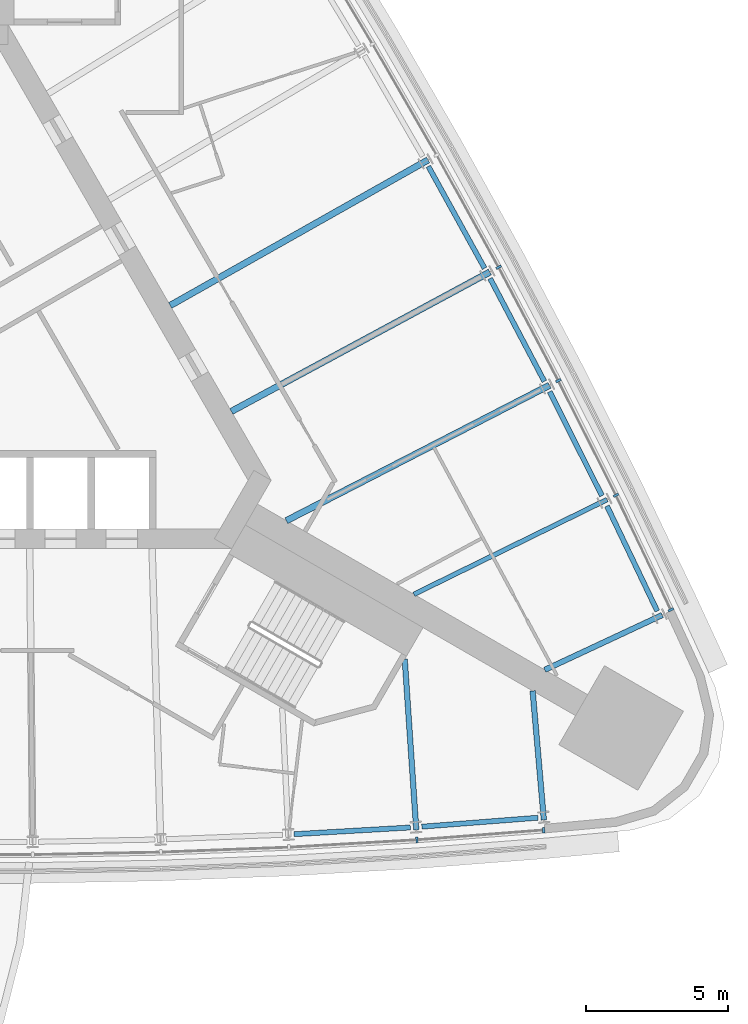
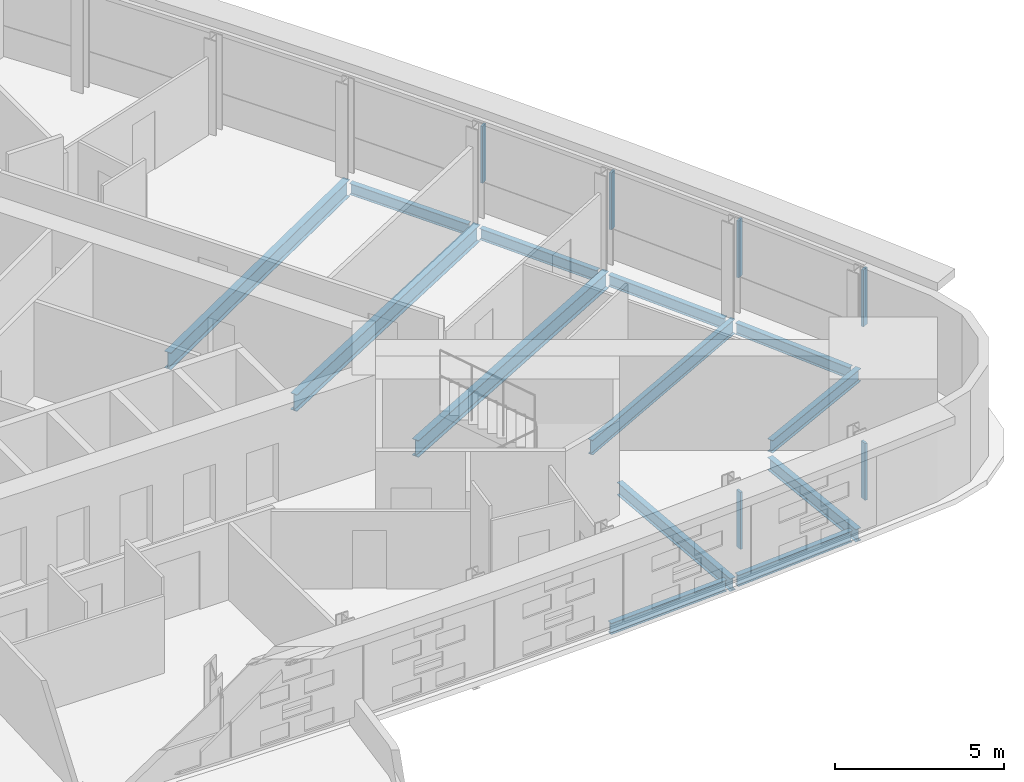
# One storey, part 5 of 15: 13 beams, 6 members, 2 elements without a shape of their own.
"""IFC4 building model written with IfcOpenShell, lengths in metres."""

from ifc_helpers import new_model, si_unit, direction, frame, origin, origin_2d, place, context, subcontext, project, spatial, rectangle, i_section, extrude, material, material_profile, profile_set, type_object, element, aggregate, save


model = new_model("IFC4")

# Units and contexts
model_context = context("Model", 3, precision=1e-05, world=origin(), true_north=direction((0.0, 1.0)))
body_context = subcontext(model_context, "Body", "Model", "MODEL_VIEW")
ifc_project = project(units=[si_unit("LENGTHUNIT", "METRE"), si_unit("AREAUNIT", "SQUARE_METRE"), si_unit("VOLUMEUNIT", "CUBIC_METRE"), si_unit("PLANEANGLEUNIT", "RADIAN"), si_unit("MASSUNIT", "GRAM", prefix="KILO")], contexts=[model_context])

# Site, building, storey
site_placement = place(None, origin())
site = spatial("IfcSite", under=ifc_project, at=site_placement, CompositionType="ELEMENT")
building_placement = place(site_placement, origin())
building = spatial("IfcBuilding", under=site, at=building_placement, Name="Noor Cloister Tower", CompositionType="ELEMENT")
storey_placement = place(building_placement, frame((0.0, 0.0, 69.0)))
storey = spatial("IfcBuildingStorey", under=building, at=storey_placement, Name="L17", CompositionType="ELEMENT", Elevation=69.0)

# Curtain wall, members
ifc_material_1 = material(Name="Aluminium 6063-T6 anodised", Category="aluminium")
curtain_wall_type = type_object("IfcCurtainWallType", Name="Ribbon curtain wall, lower tower CW1", PredefinedType="NOTDEFINED", material=ifc_material_1)
curtain_wall_1_placement = place(storey_placement, origin())
curtain_wall_1 = element("IfcCurtainWall", 1, at=curtain_wall_1_placement, inside=storey, type_object=curtain_wall_type, Name="CW1 L17 S run 2", PredefinedType="NOTDEFINED")
ifc_material_2 = material(Name="Aluminium 6063-T6 anodised", Category="aluminium")
ifc_material_profile_1 = material_profile(ifc_material_2, rectangle(XDim=0.199951171875, YDim=0.080078125, at=origin_2d()), Name="200 x 80 mullion")
ifc_profile_set_1 = profile_set([ifc_material_profile_1], Name="Aluminium 6063-T6 anodised")
member_type = type_object("IfcMemberType", Name="Mullion CW1 80 x 200", PredefinedType="MULLION", material=ifc_profile_set_1)
member_1_placement = place(storey_placement, frame((15.731201171875, -17.14794921875, 1.10009765625), z_axis=(0.0, 0.0, 1.0), x_axis=(-0.067471755101, 0.997721184632, 0.0)))
member_1 = element("IfcMember", 2, at=member_1_placement, type_object=member_type, Name="CW1 mullion 9", PredefinedType="MULLION", context=body_context, shape_type="SweptSolid", body=[
    extrude(rectangle(XDim=0.199951171875, YDim=0.080078125, at=origin_2d()), origin(), (0.0, 0.0, 1.0), 2.0498046875),
])
member_2_placement = place(storey_placement, frame((20.177001953125, -16.80419921875, 1.10009765625), z_axis=(0.0, 0.0, 1.0), x_axis=(-0.077092640523, 0.997023933904, 0.0)))
member_2 = element("IfcMember", 3, at=member_2_placement, type_object=member_type, Name="CW1 mullion 10", PredefinedType="MULLION", context=body_context, shape_type="SweptSolid", body=[
    extrude(rectangle(XDim=0.199951171875, YDim=0.080078125, at=origin_2d()), origin(), (0.0, 0.0, 1.0), 2.0498046875),
])
aggregate(curtain_wall_1, [member_1, member_2])

curtain_wall_2_placement = place(storey_placement, origin())
curtain_wall_2 = element("IfcCurtainWall", 4, at=curtain_wall_2_placement, inside=storey, type_object=curtain_wall_type, Name="CW1 L17 NE run 3", PredefinedType="NOTDEFINED")
member_3_placement = place(storey_placement, frame((24.641357421875, -9.07177734375, 1.10009765625), z_axis=(0.0, 0.0, 1.0), x_axis=(-0.901994375203, -0.431747781814, 0.0)))
member_3 = element("IfcMember", 5, at=member_3_placement, type_object=member_type, Name="CW1 mullion 1", PredefinedType="MULLION", context=body_context, shape_type="SweptSolid", body=[
    extrude(rectangle(XDim=0.199951171875, YDim=0.080078125, at=origin_2d()), origin(), (0.0, 0.0, 1.0), 2.0498046875),
])
member_4_placement = place(storey_placement, frame((22.716064453125, -5.0498046875, 1.10009765625), z_axis=(0.0, 0.0, 1.0), x_axis=(-0.897787769336, -0.440428338361, 0.0)))
member_4 = element("IfcMember", 6, at=member_4_placement, type_object=member_type, Name="CW1 mullion 2", PredefinedType="MULLION", context=body_context, shape_type="SweptSolid", body=[
    extrude(rectangle(XDim=0.199951171875, YDim=0.080078125, at=origin_2d()), origin(), (0.0, 0.0, 1.0), 2.0498046875),
])
member_5_placement = place(storey_placement, frame((20.6962890625, -1.03076171875, 1.10009765625), z_axis=(0.0, 0.0, 1.0), x_axis=(-0.889124353798, -0.45766568965, 0.0)))
member_5 = element("IfcMember", 7, at=member_5_placement, type_object=member_type, Name="CW1 mullion 3", PredefinedType="MULLION", context=body_context, shape_type="SweptSolid", body=[
    extrude(rectangle(XDim=0.199951171875, YDim=0.080078125, at=origin_2d()), origin(), (0.0, 0.0, 1.0), 2.0498046875),
])
member_6_placement = place(storey_placement, frame((18.59912109375, 2.948486328125, 1.10009765625), z_axis=(0.0, 0.0, 1.0), x_axis=(-0.880130014741, -0.474732721805, 0.0)))
member_6 = element("IfcMember", 8, at=member_6_placement, type_object=member_type, Name="CW1 mullion 4", PredefinedType="MULLION", context=body_context, shape_type="SweptSolid", body=[
    extrude(rectangle(XDim=0.199951171875, YDim=0.080078125, at=origin_2d()), origin(), (0.0, 0.0, 1.0), 2.0498046875),
])
aggregate(curtain_wall_2, [member_3, member_4, member_5, member_6])

# Beams
ifc_material_3 = material(Name="Steel ASTM A992 Gr 50", Category="steel")
ifc_material_profile_2 = material_profile(ifc_material_3, i_section(OverallWidth=0.19091796875, OverallDepth=0.45703125, WebThickness=0.009033203125, FlangeThickness=0.014404296875, FilletRadius=0.01025390625, at=origin_2d()), Name="W460x74")
ifc_profile_set_2 = profile_set([ifc_material_profile_2], Name="Steel ASTM A992 Gr 50")
beam_type_1 = type_object("IfcBeamType", Name="Radial beam W460x74", PredefinedType="BEAM", material=ifc_profile_set_2)
beam_1_placement = place(storey_placement, frame((15.70751953125, -16.795654296875, -0.428466796875), z_axis=(-0.067491020736, 0.99771988159, 0.0), x_axis=(-0.99771988159, -0.067491020736, 0.0)))
element("IfcBeam", 9, at=beam_1_placement, inside=storey, type_object=beam_type_1, Name="Radial beam S 09 L17", PredefinedType="BEAM", context=body_context, shape_type="SweptSolid", body=[
    extrude(i_section(OverallWidth=0.19091796875, OverallDepth=0.45703125, WebThickness=0.009033203125, FlangeThickness=0.014404296875, FilletRadius=0.01025390625, at=origin_2d()), origin(), (0.0, 0.0, 1.0), 6.001220703125),
])
for number, where, z_axis, x_axis, name in (
    (10, (20.185302734375, -16.449462890625, -0.428466796875), (-0.08671760944, 0.996232932709, 0.0), (-0.996232932709, -0.08671760944, 0.0), "Radial beam S 10 L17"),
    (11, (24.33837890625, -9.25634765625, -0.428466796875), (-0.906124182133, -0.423011780632, 0.0), (0.423011780632, -0.906124182133, 0.0), "Radial beam NE 01 L17"),
):
    element("IfcBeam", number, at=place(storey_placement, frame(where, z_axis=z_axis, x_axis=x_axis)), inside=storey, type_object=beam_type_1, Name=name, PredefinedType="BEAM", context=body_context, shape_type="SweptSolid", body=[
        extrude(i_section(OverallWidth=0.19091796875, OverallDepth=0.45703125, WebThickness=0.009033203125, FlangeThickness=0.014404296875, FilletRadius=0.01025390625, at=origin_2d()), origin(), (0.0, 0.0, 1.0), 4.549560546875),
    ])
ifc_material_4 = material(Name="Steel ASTM A992 Gr 50", Category="steel")
ifc_material_profile_3 = material_profile(ifc_material_4, i_section(OverallWidth=0.166015625, OverallDepth=0.528076171875, WebThickness=0.009765625, FlangeThickness=0.013671875, FilletRadius=0.0126953125, at=origin_2d()), Name="W530x74")
ifc_profile_set_3 = profile_set([ifc_material_profile_3], Name="Steel ASTM A992 Gr 50")
beam_type_2 = type_object("IfcBeamType", Name="Radial beam W530x74", PredefinedType="BEAM", material=ifc_profile_set_3)
beam_2_placement = place(storey_placement, frame((22.399169921875, -5.205322265625, -0.464111328125), z_axis=(-0.897791582148, -0.440420566078, 0.0), x_axis=(0.440420566078, -0.897791582148, 0.0)))
element("IfcBeam", 12, at=beam_2_placement, inside=storey, type_object=beam_type_2, Name="Radial beam NE 02 L17", PredefinedType="BEAM", context=body_context, shape_type="SweptSolid", body=[
    extrude(i_section(OverallWidth=0.166015625, OverallDepth=0.528076171875, WebThickness=0.009765625, FlangeThickness=0.013671875, FilletRadius=0.0126953125, at=origin_2d()), origin(), (0.0, 0.0, 1.0), 7.54736328125),
])
ifc_material_5 = material(Name="Steel ASTM A992 Gr 50", Category="steel")
ifc_material_profile_4 = material_profile(ifc_material_5, i_section(OverallWidth=0.22802734375, OverallDepth=0.60205078125, WebThickness=0.010498046875, FlangeThickness=0.014892578125, FilletRadius=0.0126953125, at=origin_2d()), Name="W610x101")
ifc_profile_set_4 = profile_set([ifc_material_profile_4], Name="Steel ASTM A992 Gr 50")
beam_type_3 = type_object("IfcBeamType", Name="Radial beam W610x101", PredefinedType="BEAM", material=ifc_profile_set_4)
beam_3_placement = place(storey_placement, frame((20.38232421875, -1.1923828125, -0.5009765625), z_axis=(-0.889123572031, -0.457667208415, 0.0), x_axis=(0.457667208415, -0.889123572031, 0.0)))
element("IfcBeam", 13, at=beam_3_placement, inside=storey, type_object=beam_type_3, Name="Radial beam NE 03 L17", PredefinedType="BEAM", context=body_context, shape_type="SweptSolid", body=[
    extrude(i_section(OverallWidth=0.22802734375, OverallDepth=0.60205078125, WebThickness=0.010498046875, FlangeThickness=0.014892578125, FilletRadius=0.0126953125, at=origin_2d()), origin(), (0.0, 0.0, 1.0), 10.3857421875),
])
beam_4_placement = place(storey_placement, frame((18.28857421875, 2.78076171875, -0.5009765625), z_axis=(-0.880137671606, -0.474718526097, 0.0), x_axis=(0.474718526097, -0.880137671606, 0.0)))
element("IfcBeam", 14, at=beam_4_placement, inside=storey, type_object=beam_type_3, Name="Radial beam NE 04 L17", PredefinedType="BEAM", context=body_context, shape_type="SweptSolid", body=[
    extrude(i_section(OverallWidth=0.22802734375, OverallDepth=0.60205078125, WebThickness=0.010498046875, FlangeThickness=0.014892578125, FilletRadius=0.0126953125, at=origin_2d()), origin(), (0.0, 0.0, 1.0), 10.3046875),
])
beam_5_placement = place(storey_placement, frame((16.118408203125, 6.712890625, -0.5009765625), z_axis=(-0.870813111401, -0.491614203427, 0.0), x_axis=(0.491614203427, -0.870813111401, 0.0)))
element("IfcBeam", 15, at=beam_5_placement, inside=storey, type_object=beam_type_3, Name="Radial beam NE 05 L17", PredefinedType="BEAM", context=body_context, shape_type="SweptSolid", body=[
    extrude(i_section(OverallWidth=0.22802734375, OverallDepth=0.60205078125, WebThickness=0.010498046875, FlangeThickness=0.014892578125, FilletRadius=0.0126953125, at=origin_2d()), origin(), (0.0, 0.0, 1.0), 10.3876953125),
])
ifc_material_6 = material(Name="Steel ASTM A992 Gr 50", Category="steel")
ifc_material_profile_5 = material_profile(ifc_material_6, i_section(OverallWidth=0.177978515625, OverallDepth=0.406005859375, WebThickness=0.0078125, FlangeThickness=0.0126953125, FilletRadius=0.01025390625, at=origin_2d()), Name="W410x60")
ifc_profile_set_5 = profile_set([ifc_material_profile_5], Name="Steel ASTM A992 Gr 50")
beam_type_4 = type_object("IfcBeamType", Name="Spandrel beam W410x60", PredefinedType="SPANDREL", material=ifc_profile_set_5)
beam_6_placement = place(storey_placement, frame((11.4208984375, -16.94677734375, -0.403076171875), z_axis=(0.998328754654, 0.057790117076, 0.0), x_axis=(-0.057790117076, 0.998328754654, 0.0)))
element("IfcBeam", 16, at=beam_6_placement, inside=storey, type_object=beam_type_4, Name="Spandrel beam S 08 L17", PredefinedType="SPANDREL", context=body_context, shape_type="SweptSolid", body=[
    extrude(i_section(OverallWidth=0.177978515625, OverallDepth=0.406005859375, WebThickness=0.0078125, FlangeThickness=0.0126953125, FilletRadius=0.01025390625, at=origin_2d()), origin(), (0.0, 0.0, 1.0), 4.085205078125),
])
beam_7_placement = place(storey_placement, frame((15.90234375, -16.683349609375, -0.403076171875), z_axis=(0.997024176871, 0.077089498212, 0.0), x_axis=(-0.077089498212, 0.997024176871, 0.0)))
element("IfcBeam", 17, at=beam_7_placement, inside=storey, type_object=beam_type_4, Name="Spandrel beam S 09 L17", PredefinedType="SPANDREL", context=body_context, shape_type="SweptSolid", body=[
    extrude(i_section(OverallWidth=0.177978515625, OverallDepth=0.406005859375, WebThickness=0.0078125, FlangeThickness=0.0126953125, FilletRadius=0.01025390625, at=origin_2d()), origin(), (0.0, 0.0, 1.0), 4.08544921875),
])
for number, where, z_axis, x_axis, name in (
    (18, (24.1630859375, -9.114990234375, -0.403076171875), (-0.431728272915, 0.902003713055, 0.0), (-0.902003713055, -0.431728272915, 0.0), "Spandrel beam NE 01 L17"),
    (19, (22.221435546875, -5.0673828125, -0.403076171875), (-0.449101034205, 0.893480979694, 0.0), (-0.893480979694, -0.449101034205, 0.0), "Spandrel beam NE 02 L17"),
):
    element("IfcBeam", number, at=place(storey_placement, frame(where, z_axis=z_axis, x_axis=x_axis)), inside=storey, type_object=beam_type_4, Name=name, PredefinedType="SPANDREL", context=body_context, shape_type="SweptSolid", body=[
        extrude(i_section(OverallWidth=0.177978515625, OverallDepth=0.406005859375, WebThickness=0.0078125, FlangeThickness=0.0126953125, FilletRadius=0.01025390625, at=origin_2d()), origin(), (0.0, 0.0, 1.0), 4.085205078125),
    ])
beam_8_placement = place(storey_placement, frame((20.201904296875, -1.05810546875, -0.403076171875), z_axis=(-0.466187250384, 0.884686072898, 0.0), x_axis=(-0.884686072898, -0.466187250384, 0.0)))
element("IfcBeam", 20, at=beam_8_placement, inside=storey, type_object=beam_type_4, Name="Spandrel beam NE 03 L17", PredefinedType="SPANDREL", context=body_context, shape_type="SweptSolid", body=[
    extrude(i_section(OverallWidth=0.177978515625, OverallDepth=0.406005859375, WebThickness=0.0078125, FlangeThickness=0.0126953125, FilletRadius=0.01025390625, at=origin_2d()), origin(), (0.0, 0.0, 1.0), 4.08544921875),
])
beam_9_placement = place(storey_placement, frame((18.10546875, 2.91162109375, -0.403076171875), z_axis=(-0.483180030896, 0.875521020732, 0.0), x_axis=(-0.875521020732, -0.483180030896, 0.0)))
element("IfcBeam", 21, at=beam_9_placement, inside=storey, type_object=beam_type_4, Name="Spandrel beam NE 04 L17", PredefinedType="SPANDREL", context=body_context, shape_type="SweptSolid", body=[
    extrude(i_section(OverallWidth=0.177978515625, OverallDepth=0.406005859375, WebThickness=0.0078125, FlangeThickness=0.0126953125, FilletRadius=0.01025390625, at=origin_2d()), origin(), (0.0, 0.0, 1.0), 4.085205078125),
])

save(model, "model.ifc")
